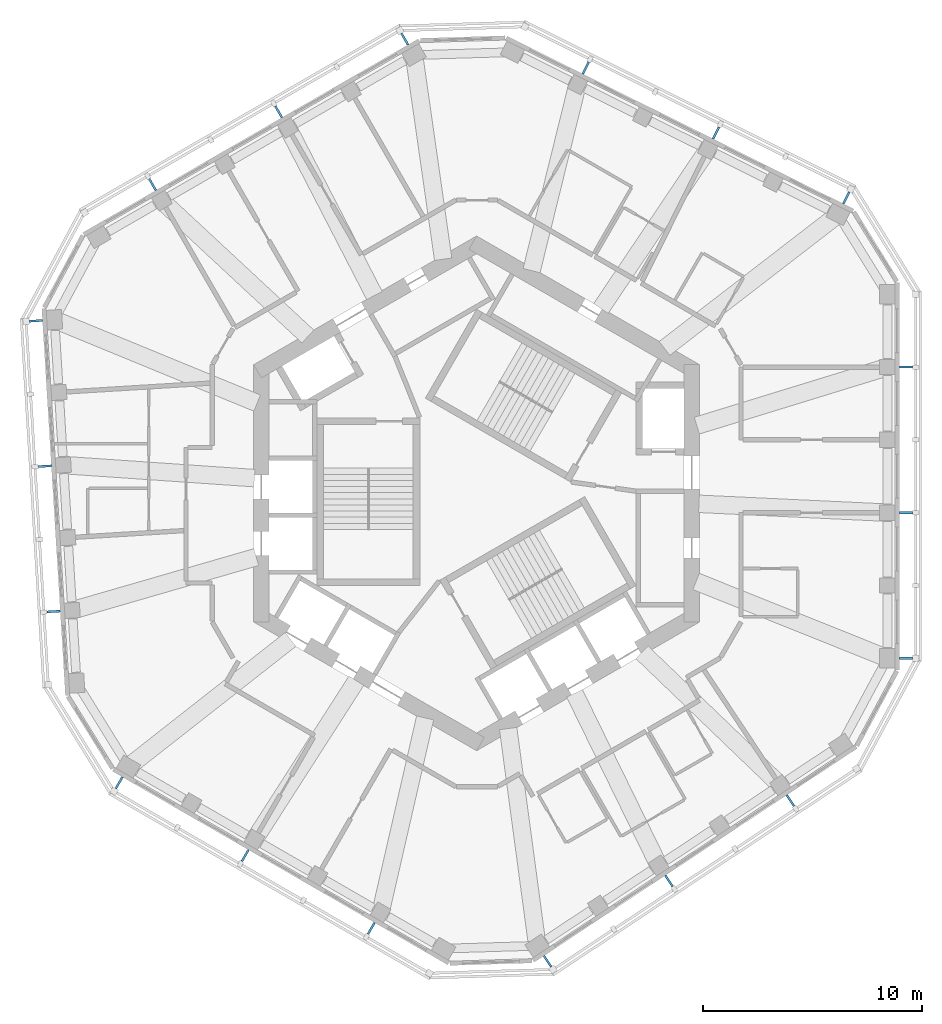
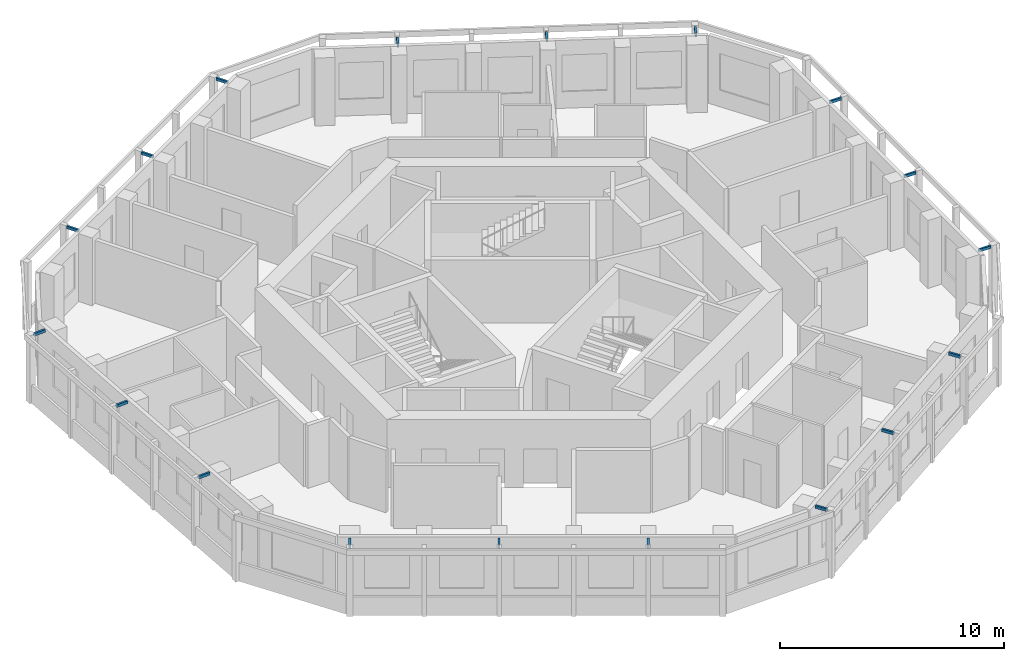
# One storey, part 10 of 11: 18 discrete accessories.
"""IFC4 building model written with IfcOpenShell, lengths in metres."""

from ifc_helpers import new_model, si_unit, direction, frame, origin, origin_2d, place, context, subcontext, project, spatial, rectangle, extrude, material, type_object, element, save


model = new_model("IFC4")

# Units and contexts
model_context = context("Model", 3, precision=1e-05, world=origin(), true_north=direction((0.0, 1.0)))
body_context = subcontext(model_context, "Body", "Model", "MODEL_VIEW")
ifc_project = project(units=[si_unit("LENGTHUNIT", "METRE"), si_unit("AREAUNIT", "SQUARE_METRE"), si_unit("VOLUMEUNIT", "CUBIC_METRE"), si_unit("PLANEANGLEUNIT", "RADIAN"), si_unit("MASSUNIT", "GRAM", prefix="KILO")], contexts=[model_context])

# Site, building, storey
site_placement = place(None, origin())
site = spatial("IfcSite", under=ifc_project, at=site_placement, CompositionType="ELEMENT")
building_placement = place(site_placement, origin())
building = spatial("IfcBuilding", under=site, at=building_placement, Name="Vanh Sen Convention Tower", CompositionType="ELEMENT")
storey_placement = place(building_placement, frame((0.0, 0.0, 293.10009765625)))
storey = spatial("IfcBuildingStorey", under=building, at=storey_placement, Name="L72", CompositionType="ELEMENT", Elevation=293.10009765625)

# Discrete accessories
ifc_material = material(Name="Steel S355", Category="steel")
discrete_accessory_type = type_object("IfcDiscreteAccessoryType", Name="Fin bracket 100 x 150", PredefinedType="BRACKET", material=ifc_material)
for number, where, z_axis, x_axis, name in (
    (1, (19.64990234375, -7.546630859375, 3.5), (0.0, 0.0, 1.0), (1.0, 0.0, 0.0), "Fin bracket E-1 L72"),
    (2, (19.64990234375, -0.88330078125, 3.5), (0.0, 0.0, 1.0), (1.0, 0.0, 0.0), "Fin bracket E-3 L72"),
    (3, (19.64990234375, 5.77978515625, 3.5), (0.0, 0.0, 1.0), (1.0, 0.0, 0.0), "Fin bracket E-5 L72"),
    (4, (16.922119140625, 13.52001953125, 3.5), (0.0, 0.0, 1.0), (0.44619781311, 0.894934361602, 0.0), "Fin bracket NE-1 L72"),
    (5, (10.958740234375, 16.4931640625, 3.5), (0.0, 0.0, 1.0), (0.44619781311, 0.894934361602, 0.0), "Fin bracket NE-3 L72"),
    (6, (4.99560546875, 19.46630859375, 3.5), (0.0, 0.0, 1.0), (0.44619781311, 0.894934361602, 0.0), "Fin bracket NE-5 L72"),
    (7, (-3.289306640625, 20.790771484375, 3.5), (0.0, 0.0, 1.0), (-0.5, 0.866025403784, 0.0), "Fin bracket NW-1 L72"),
    (8, (-9.059814453125, 17.458984375, 3.5), (0.0, 0.0, 1.0), (-0.5, 0.866025403784, 0.0), "Fin bracket NW-3 L72"),
    (9, (-14.83056640625, 14.12744140625, 3.5), (0.0, 0.0, 1.0), (-0.5, 0.866025403784, 0.0), "Fin bracket NW-5 L72"),
    (10, (-20.169677734375, 7.89501953125, 3.5), (0.0, 0.0, 1.0), (-0.998134798422, -0.061048539535, 0.0), "Fin bracket W-1 L72"),
    (11, (-19.7626953125, 1.243896484375, 3.5), (0.0, 0.0, 1.0), (-0.998134798422, -0.061048539535, 0.0), "Fin bracket W-3 L72"),
    (12, (-19.35595703125, -5.40673828125, 3.5), (0.0, 0.0, 1.0), (-0.998134798422, -0.061048539535, 0.0), "Fin bracket W-5 L72"),
    (13, (-16.360595703125, -13.243896484375, 3.5), (0.0, 0.0, 1.0), (-0.5, -0.866025403784, 0.0), "Fin bracket SW-1 L72"),
    (14, (-10.590087890625, -16.57568359375, 3.5), (0.0, 0.0, 1.0), (-0.5, -0.866025403784, 0.0), "Fin bracket SW-3 L72"),
    (15, (-4.819580078125, -19.9072265625, 3.5), (0.0, 0.0, 1.0), (-0.5, -0.866025403784, 0.0), "Fin bracket SW-5 L72"),
    (16, (3.24755859375, -21.414794921875, 3.5), (0.0, 0.0, 1.0), (0.551936985312, -0.833885822067, 0.0), "Fin bracket SE-1 L72"),
    (17, (8.803955078125, -17.737060546875, 3.5), (0.0, 0.0, 1.0), (0.551936985312, -0.833885822067, 0.0), "Fin bracket SE-3 L72"),
    (18, (14.3603515625, -14.059326171875, 3.5), (0.0, 0.0, 1.0), (0.551936985312, -0.833885822067, 0.0), "Fin bracket SE-5 L72"),
):
    element("IfcDiscreteAccessory", number, at=place(storey_placement, frame(where, z_axis=z_axis, x_axis=x_axis)), inside=storey, type_object=discrete_accessory_type, Name=name, PredefinedType="BRACKET", context=body_context, shape_type="SweptSolid", body=[
        extrude(rectangle(XDim=0.60009765625, YDim=0.10009765625, at=origin_2d()), origin(), (0.0, 0.0, 1.0), 0.14990234375),
    ])

save(model, "model.ifc")
